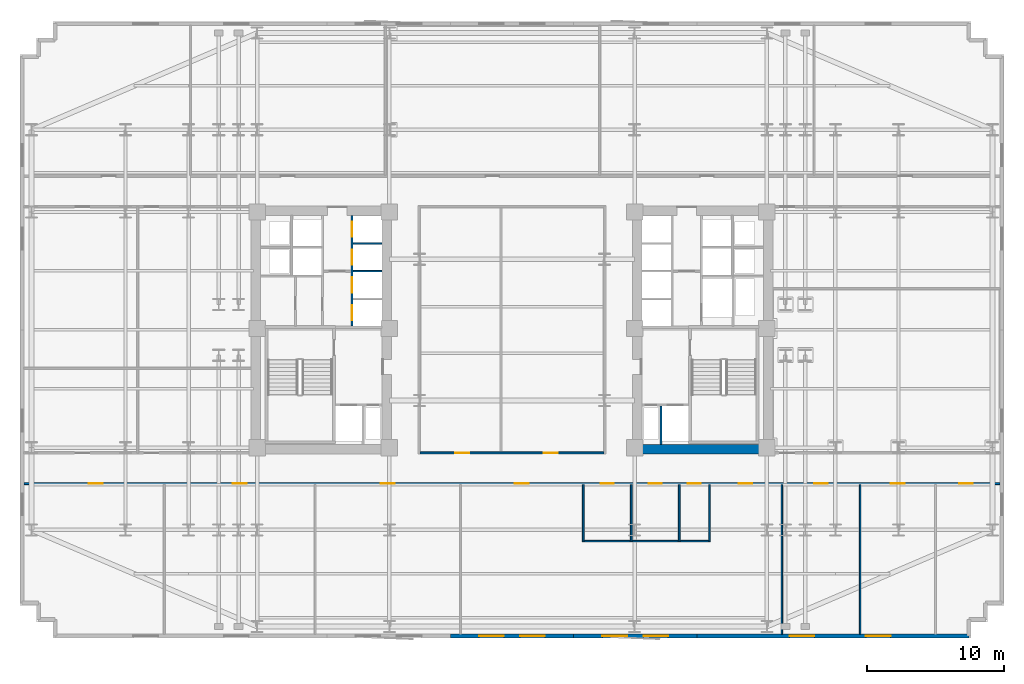
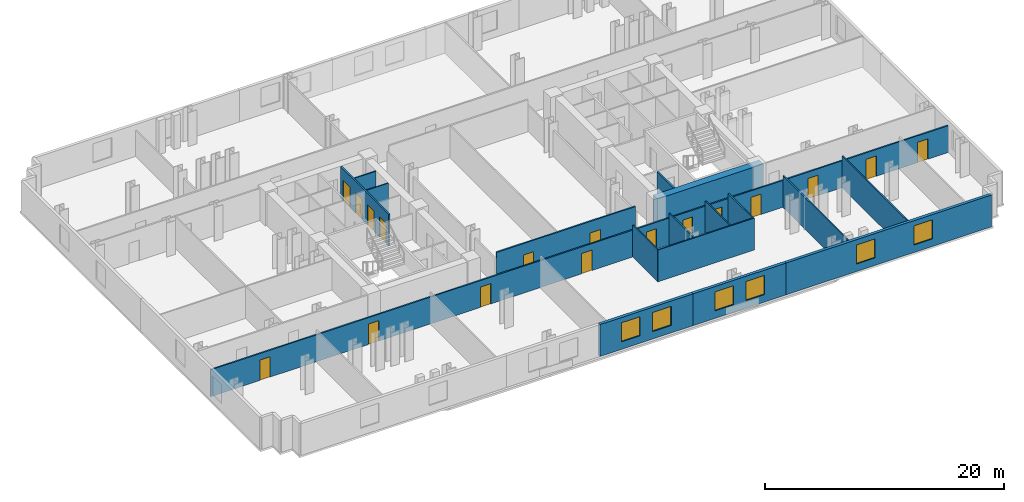
# One storey, part 5 of 10: 17 doors, 17 walls, 6 windows, 23 openings.
"""IFC4 building model written with IfcOpenShell, lengths in metres."""

from ifc_helpers import new_model, si_unit, direction, frame, frame_2d, origin, place, context, subcontext, project, spatial, rectangle, extrude, material, layer, layer_set, type_object, element, fill, save


model = new_model("IFC4")

# Units and contexts
model_context = context("Model", 3, precision=1e-05, world=origin(), true_north=direction((0.0, 1.0)))
body_context = subcontext(model_context, "Body", "Model", "MODEL_VIEW")
ifc_project = project(units=[si_unit("LENGTHUNIT", "METRE"), si_unit("AREAUNIT", "SQUARE_METRE"), si_unit("VOLUMEUNIT", "CUBIC_METRE"), si_unit("PLANEANGLEUNIT", "RADIAN"), si_unit("MASSUNIT", "GRAM", prefix="KILO")], contexts=[model_context])

# Site, building, storey
site_placement = place(None, origin())
site = spatial("IfcSite", under=ifc_project, at=site_placement, CompositionType="ELEMENT")
building_placement = place(site_placement, origin())
building = spatial("IfcBuilding", under=site, at=building_placement, Name="Velakula Bourse", CompositionType="ELEMENT")
storey_placement = place(building_placement, frame((0.0, 0.0, 41.550048828125)))
storey = spatial("IfcBuildingStorey", under=building, at=storey_placement, Name="L10", CompositionType="ELEMENT", Elevation=41.550048828125)

# Wall
ifc_material_1 = material(Name="Concrete M70 (fck 70 MPa)", Category="concrete")
ifc_layer_1 = layer(ifc_material_1, 0.699951171875, Name="Concrete M70 (fck 70 MPa)", Category="concrete")
ifc_layer_set_1 = layer_set([ifc_layer_1], Name="Concrete M70 (fck 70 MPa)")
wall_type_1 = type_object("IfcWallType", Name="WL-CORE-700", PredefinedType="SHEAR", material=ifc_layer_set_1)
wall_1_placement = place(storey_placement, frame((8.800048828125, -8.699951171875, 0.0), z_axis=(0.0, 0.0, 1.0), x_axis=(1.0, 0.0, 0.0)))
element("IfcWall", 1, at=wall_1_placement, inside=storey, type_object=wall_type_1, Name="L10 Core E Shear Wall S", PredefinedType="SHEAR", context=body_context, shape_type="SweptSolid", body=[
    extrude(rectangle(XDim=10.25, YDim=0.699951171875, at=frame_2d((5.125, 0.0))), origin(), (0.0, 0.0, 1.0), 3.27001953125),
])

# Wall, openings, windows
ifc_material_2 = material(Name="Red kilned clay facing brick masonry", Category="masonry")
ifc_layer_2 = layer(ifc_material_2, 0.280029296875, Name="Red kilned clay facing brick masonry", Category="masonry")
ifc_layer_set_2 = layer_set([ifc_layer_2], Name="Red kilned clay facing brick masonry")
wall_type_2 = type_object("IfcWallType", Name="WL-EXT-BRK-280", PredefinedType="STANDARD", material=ifc_layer_set_2)
wall_2_placement = place(storey_placement, frame((4.5, -22.340087890625, 0.0), z_axis=(0.0, 0.0, 1.0), x_axis=(-1.0, 0.0, 0.0)))
wall_2 = element("IfcWall", 2, at=wall_2_placement, inside=storey, type_object=wall_type_2, Name="L10 S Brick Spandrel Wall B3", PredefinedType="STANDARD", context=body_context, shape_type="SweptSolid", body=[
    extrude(rectangle(XDim=9.0, YDim=0.280029296875, at=frame_2d((4.5, 0.0))), origin(), (0.0, 0.0, 1.0), 3.25),
])
opening_1_placement = place(wall_2_placement, frame((2.10009765625, 0.0, 0.760009765625)))
opening_1 = element("IfcOpeningElement", 3, at=opening_1_placement, cuts=wall_2, Name="Opening W-01", PredefinedType="OPENING", context=body_context, shape_type="SweptSolid", body=[
    extrude(rectangle(XDim=1.800048828125, YDim=1.949951171875, at=frame_2d((0.89990234375, 0.97509765625))), frame((0.0, 0.14990234375, 0.0), z_axis=(0.0, -1.0, 0.0), x_axis=(1.0, 0.0, 0.0)), (0.0, 0.0, 1.0), 0.300048828125),
])
opening_2_placement = place(wall_2_placement, frame((5.10009765625, 0.0, 0.760009765625)))
opening_2 = element("IfcOpeningElement", 4, at=opening_2_placement, cuts=wall_2, Name="Opening W-01", PredefinedType="OPENING", context=body_context, shape_type="SweptSolid", body=[
    extrude(rectangle(XDim=1.800048828125, YDim=1.949951171875, at=frame_2d((0.89990234375, 0.97509765625))), frame((0.0, 0.14990234375, 0.0), z_axis=(0.0, -1.0, 0.0), x_axis=(1.0, 0.0, 0.0)), (0.0, 0.0, 1.0), 0.300048828125),
])
ifc_material_3 = material(Name="Double-glazed solar-control Low-E glass", Category="glass")
window_type = type_object("IfcWindowType", Name="WIN-TWR-1800x2100", PartitioningType="SINGLE_PANEL", PredefinedType="WINDOW", material=ifc_material_3)
window_1_placement = place(opening_1_placement, origin())
window_1 = element("IfcWindow", 5, at=window_1_placement, inside=storey, type_object=window_type, Name="L10 Deep-Set Recessed Window 1", OverallHeight=1.949951171875, OverallWidth=1.800048828125, PartitioningType="SINGLE_PANEL", PredefinedType="WINDOW", context=body_context, shape_type="SweptSolid", body=[
    extrude(rectangle(XDim=1.800048828125, YDim=1.949951171875, at=frame_2d((0.89990234375, 0.97509765625))), frame((0.0, 0.030029296875, 0.0), z_axis=(0.0, -1.0, 0.0), x_axis=(1.0, 0.0, 0.0)), (0.0, 0.0, 1.0), 0.06005859375),
])
fill(opening_1, window_1)
window_2_placement = place(opening_2_placement, origin())
window_2 = element("IfcWindow", 6, at=window_2_placement, inside=storey, type_object=window_type, Name="L10 Deep-Set Recessed Window 2", OverallHeight=1.949951171875, OverallWidth=1.800048828125, PartitioningType="SINGLE_PANEL", PredefinedType="WINDOW", context=body_context, shape_type="SweptSolid", body=[
    extrude(rectangle(XDim=1.800048828125, YDim=1.949951171875, at=frame_2d((0.89990234375, 0.97509765625))), frame((0.0, 0.030029296875, 0.0), z_axis=(0.0, -1.0, 0.0), x_axis=(1.0, 0.0, 0.0)), (0.0, 0.0, 1.0), 0.06005859375),
])
fill(opening_2, window_2)

wall_3_placement = place(storey_placement, frame((13.5, -22.340087890625, 0.0), z_axis=(0.0, 0.0, 1.0), x_axis=(-1.0, 0.0, 0.0)))
wall_3 = element("IfcWall", 7, at=wall_3_placement, inside=storey, type_object=wall_type_2, Name="L10 S Brick Spandrel Wall B4", PredefinedType="STANDARD", context=body_context, shape_type="SweptSolid", body=[
    extrude(rectangle(XDim=9.0, YDim=0.280029296875, at=frame_2d((4.5, 0.0))), origin(), (0.0, 0.0, 1.0), 3.25),
])
opening_3_placement = place(wall_3_placement, frame((2.10009765625, 0.0, 0.760009765625)))
opening_3 = element("IfcOpeningElement", 8, at=opening_3_placement, cuts=wall_3, Name="Opening W-01", PredefinedType="OPENING", context=body_context, shape_type="SweptSolid", body=[
    extrude(rectangle(XDim=1.800048828125, YDim=1.949951171875, at=frame_2d((0.89990234375, 0.97509765625))), frame((0.0, 0.14990234375, 0.0), z_axis=(0.0, -1.0, 0.0), x_axis=(1.0, 0.0, 0.0)), (0.0, 0.0, 1.0), 0.300048828125),
])
opening_4_placement = place(wall_3_placement, frame((5.10009765625, 0.0, 0.760009765625)))
opening_4 = element("IfcOpeningElement", 9, at=opening_4_placement, cuts=wall_3, Name="Opening W-01", PredefinedType="OPENING", context=body_context, shape_type="SweptSolid", body=[
    extrude(rectangle(XDim=1.800048828125, YDim=1.949951171875, at=frame_2d((0.89990234375, 0.97509765625))), frame((0.0, 0.14990234375, 0.0), z_axis=(0.0, -1.0, 0.0), x_axis=(1.0, 0.0, 0.0)), (0.0, 0.0, 1.0), 0.300048828125),
])
window_3_placement = place(opening_3_placement, origin())
window_3 = element("IfcWindow", 10, at=window_3_placement, inside=storey, type_object=window_type, Name="L10 Deep-Set Recessed Window 1", OverallHeight=1.949951171875, OverallWidth=1.800048828125, PartitioningType="SINGLE_PANEL", PredefinedType="WINDOW", context=body_context, shape_type="SweptSolid", body=[
    extrude(rectangle(XDim=1.800048828125, YDim=1.949951171875, at=frame_2d((0.89990234375, 0.97509765625))), frame((0.0, 0.030029296875, 0.0), z_axis=(0.0, -1.0, 0.0), x_axis=(1.0, 0.0, 0.0)), (0.0, 0.0, 1.0), 0.06005859375),
])
fill(opening_3, window_3)
window_4_placement = place(opening_4_placement, origin())
window_4 = element("IfcWindow", 11, at=window_4_placement, inside=storey, type_object=window_type, Name="L10 Deep-Set Recessed Window 2", OverallHeight=1.949951171875, OverallWidth=1.800048828125, PartitioningType="SINGLE_PANEL", PredefinedType="WINDOW", context=body_context, shape_type="SweptSolid", body=[
    extrude(rectangle(XDim=1.800048828125, YDim=1.949951171875, at=frame_2d((0.89990234375, 0.97509765625))), frame((0.0, 0.030029296875, 0.0), z_axis=(0.0, -1.0, 0.0), x_axis=(1.0, 0.0, 0.0)), (0.0, 0.0, 1.0), 0.06005859375),
])
fill(opening_4, window_4)

wall_4_placement = place(storey_placement, frame((33.340087890625, -22.340087890625, 0.0), z_axis=(0.0, 0.0, 1.0), x_axis=(-1.0, 0.0, 0.0)))
wall_4 = element("IfcWall", 12, at=wall_4_placement, inside=storey, type_object=wall_type_2, Name="L10 S Brick Spandrel Wall B5", PredefinedType="STANDARD", context=body_context, shape_type="SweptSolid", body=[
    extrude(rectangle(XDim=19.840087890625, YDim=0.280029296875, at=frame_2d((9.919921875, 0.0))), origin(), (0.0, 0.0, 1.0), 3.25),
])
opening_5_placement = place(wall_4_placement, frame((5.71337890625, 0.0, 0.760009765625)))
opening_5 = element("IfcOpeningElement", 13, at=opening_5_placement, cuts=wall_4, Name="Opening W-01", PredefinedType="OPENING", context=body_context, shape_type="SweptSolid", body=[
    extrude(rectangle(XDim=1.800048828125, YDim=1.949951171875, at=frame_2d((0.89990234375, 0.97509765625))), frame((0.0, 0.14990234375, 0.0), z_axis=(0.0, -1.0, 0.0), x_axis=(1.0, 0.0, 0.0)), (0.0, 0.0, 1.0), 0.300048828125),
])
opening_6_placement = place(wall_4_placement, frame((11.276611328125, 0.0, 0.760009765625)))
opening_6 = element("IfcOpeningElement", 14, at=opening_6_placement, cuts=wall_4, Name="Opening W-01", PredefinedType="OPENING", context=body_context, shape_type="SweptSolid", body=[
    extrude(rectangle(XDim=1.800048828125, YDim=1.949951171875, at=frame_2d((0.89990234375, 0.97509765625))), frame((0.0, 0.14990234375, 0.0), z_axis=(0.0, -1.0, 0.0), x_axis=(1.0, 0.0, 0.0)), (0.0, 0.0, 1.0), 0.300048828125),
])
window_5_placement = place(opening_5_placement, origin())
window_5 = element("IfcWindow", 15, at=window_5_placement, inside=storey, type_object=window_type, Name="L10 Deep-Set Recessed Window 1", OverallHeight=1.949951171875, OverallWidth=1.800048828125, PartitioningType="SINGLE_PANEL", PredefinedType="WINDOW", context=body_context, shape_type="SweptSolid", body=[
    extrude(rectangle(XDim=1.800048828125, YDim=1.949951171875, at=frame_2d((0.89990234375, 0.97509765625))), frame((0.0, 0.030029296875, 0.0), z_axis=(0.0, -1.0, 0.0), x_axis=(1.0, 0.0, 0.0)), (0.0, 0.0, 1.0), 0.06005859375),
])
fill(opening_5, window_5)
window_6_placement = place(opening_6_placement, origin())
window_6 = element("IfcWindow", 16, at=window_6_placement, inside=storey, type_object=window_type, Name="L10 Deep-Set Recessed Window 2", OverallHeight=1.949951171875, OverallWidth=1.800048828125, PartitioningType="SINGLE_PANEL", PredefinedType="WINDOW", context=body_context, shape_type="SweptSolid", body=[
    extrude(rectangle(XDim=1.800048828125, YDim=1.949951171875, at=frame_2d((0.89990234375, 0.97509765625))), frame((0.0, 0.030029296875, 0.0), z_axis=(0.0, -1.0, 0.0), x_axis=(1.0, 0.0, 0.0)), (0.0, 0.0, 1.0), 0.06005859375),
])
fill(opening_6, window_6)

# Walls
ifc_material_4 = material(Name="Fire-rated double-layer gypsum drywall partition", Category="gypsum")
ifc_layer_3 = layer(ifc_material_4, 0.1201171875, Name="Fire-rated double-layer gypsum drywall partition", Category="gypsum")
ifc_layer_set_3 = layer_set([ifc_layer_3], Name="Fire-rated double-layer gypsum drywall partition")
wall_type_3 = type_object("IfcWallType", Name="WL-PART-120", PredefinedType="STANDARD", material=ifc_layer_set_3)
for number, where, z_axis, x_axis, name in (
    (17, (-11.60009765625, 4.284912109375, 0.0), (0.0, 0.0, 1.0), (1.0, 0.0, 0.0), "L10 Interior Partition WL-CRW-L10-BDIV-1"),
    (18, (-11.60009765625, 6.31494140625, 0.0), (0.0, 0.0, 1.0), (1.0, 0.0, 0.0), "L10 Interior Partition WL-CRW-L10-BDIV-2"),
):
    element("IfcWall", number, at=place(storey_placement, frame(where, z_axis=z_axis, x_axis=x_axis)), inside=storey, type_object=wall_type_3, Name=name, PredefinedType="STANDARD", context=body_context, shape_type="SweptSolid", body=[
        extrude(rectangle(XDim=2.10009765625, YDim=0.110107421875, at=frame_2d((1.050048828125, 0.0))), origin(), (0.0, 0.0, 1.0), 3.25),
    ])
wall_5_placement = place(storey_placement, frame((5.139892578125, -15.419921875, 0.0), z_axis=(0.0, 0.0, 1.0), x_axis=(1.0, 0.0, 0.0)))
element("IfcWall", 19, at=wall_5_placement, inside=storey, type_object=wall_type_3, Name="L10 Interior Partition WL-WC-L10-BACK", PredefinedType="STANDARD", context=body_context, shape_type="SweptSolid", body=[
    extrude(rectangle(XDim=9.320068359375, YDim=0.1201171875, at=frame_2d((4.66015625, 0.0))), origin(), (0.0, 0.0, 1.0), 3.25),
])
for number, where, z_axis, x_axis, name in (
    (20, (5.199951171875, -15.419921875, 0.0), (0.0, 0.0, 1.0), (0.0, 1.0, 0.0), "L10 Interior Partition WL-WC-L10-V1"),
    (21, (8.699951171875, -15.419921875, 0.0), (0.0, 0.0, 1.0), (0.0, 1.0, 0.0), "L10 Interior Partition WL-WC-L10-V2"),
    (22, (12.199951171875, -15.419921875, 0.0), (0.0, 0.0, 1.0), (0.0, 1.0, 0.0), "L10 Interior Partition WL-WC-L10-V3"),
    (23, (14.39990234375, -15.419921875, 0.0), (0.0, 0.0, 1.0), (0.0, 1.0, 0.0), "L10 Interior Partition WL-WC-L10-V4"),
):
    element("IfcWall", number, at=place(storey_placement, frame(where, z_axis=z_axis, x_axis=x_axis)), inside=storey, type_object=wall_type_3, Name=name, PredefinedType="STANDARD", context=body_context, shape_type="SweptSolid", body=[
        extrude(rectangle(XDim=4.1298828125, YDim=0.1201171875, at=frame_2d((2.06494140625, 0.0))), origin(), (0.0, 0.0, 1.0), 3.25),
    ])
for number, where, z_axis, x_axis, name in (
    (24, (19.68994140625, -22.219970703125, 0.0), (0.0, 0.0, 1.0), (0.0, 1.0, 0.0), "L10 Interior Partition WL-INT-L10-SR-D8"),
    (25, (25.403076171875, -22.219970703125, 0.0), (0.0, 0.0, 1.0), (0.0, 1.0, 0.0), "L10 Interior Partition WL-INT-L10-SR-D9"),
):
    element("IfcWall", number, at=place(storey_placement, frame(where, z_axis=z_axis, x_axis=x_axis)), inside=storey, type_object=wall_type_3, Name=name, PredefinedType="STANDARD", context=body_context, shape_type="SweptSolid", body=[
        extrude(rectangle(XDim=10.929931640625, YDim=0.1201171875, at=frame_2d((5.46484375, 0.0))), origin(), (0.0, 0.0, 1.0), 3.25),
    ])

# Wall, openings, doors
ifc_layer_4 = layer(ifc_material_4, 0.139892578125, Name="Fire-rated double-layer gypsum drywall partition", Category="gypsum")
ifc_layer_set_4 = layer_set([ifc_layer_4], Name="Fire-rated double-layer gypsum drywall partition")
wall_type_4 = type_object("IfcWallType", Name="WL-PART-140", PredefinedType="STANDARD", material=ifc_layer_set_4)
wall_6_placement = place(storey_placement, frame((-35.6201171875, -11.219970703125, 0.0), z_axis=(0.0, 0.0, 1.0), x_axis=(1.0, 0.0, 0.0)))
wall_6 = element("IfcWall", 26, at=wall_6_placement, inside=storey, type_object=wall_type_4, Name="L10 Interior Partition WL-INT-L10-S-CORR", PredefinedType="STANDARD", context=body_context, shape_type="SweptSolid", body=[
    extrude(rectangle(XDim=71.240234375, YDim=0.139892578125, at=frame_2d((35.6201171875, 0.0))), origin(), (0.0, 0.0, 1.0), 2.744873046875),
])
opening_7_placement = place(wall_6_placement, frame((42.110107421875, 0.0, 0.0)))
opening_7 = element("IfcOpeningElement", 27, at=opening_7_placement, cuts=wall_6, Name="Opening D-WT1", PredefinedType="OPENING", context=body_context, shape_type="SweptSolid", body=[
    extrude(rectangle(XDim=0.919921875, YDim=2.080078125, at=frame_2d((0.4599609375, 1.0400390625))), frame((0.0, 0.079833984375, 0.0), z_axis=(0.0, -1.0, 0.0), x_axis=(1.0, 0.0, 0.0)), (0.0, 0.0, 1.0), 0.159912109375),
])
opening_8_placement = place(wall_6_placement, frame((45.610107421875, 0.0, 0.0)))
opening_8 = element("IfcOpeningElement", 28, at=opening_8_placement, cuts=wall_6, Name="Opening D-WT1", PredefinedType="OPENING", context=body_context, shape_type="SweptSolid", body=[
    extrude(rectangle(XDim=0.919921875, YDim=2.080078125, at=frame_2d((0.4599609375, 1.0400390625))), frame((0.0, 0.079833984375, 0.0), z_axis=(0.0, -1.0, 0.0), x_axis=(1.0, 0.0, 0.0)), (0.0, 0.0, 1.0), 0.159912109375),
])
opening_9_placement = place(wall_6_placement, frame((48.4599609375, 0.0, 0.0)))
opening_9 = element("IfcOpeningElement", 29, at=opening_9_placement, cuts=wall_6, Name="Opening D-WC1", PredefinedType="OPENING", context=body_context, shape_type="SweptSolid", body=[
    extrude(rectangle(XDim=0.919921875, YDim=2.080078125, at=frame_2d((0.4599609375, 1.0400390625))), frame((0.0, 0.079833984375, 0.0), z_axis=(0.0, -1.0, 0.0), x_axis=(1.0, 0.0, 0.0)), (0.0, 0.0, 1.0), 0.159912109375),
])
opening_10_placement = place(wall_6_placement, frame((4.7509765625, 0.0, 0.0)))
opening_10 = element("IfcOpeningElement", 30, at=opening_10_placement, cuts=wall_6, Name="Opening D-OF1", PredefinedType="OPENING", context=body_context, shape_type="SweptSolid", body=[
    extrude(rectangle(XDim=1.0, YDim=2.080078125, at=frame_2d((0.5, 1.0400390625))), frame((0.0, 0.079833984375, 0.0), z_axis=(0.0, -1.0, 0.0), x_axis=(1.0, 0.0, 0.0)), (0.0, 0.0, 1.0), 0.159912109375),
])
opening_11_placement = place(wall_6_placement, frame((15.25244140625, 0.0, 0.0)))
opening_11 = element("IfcOpeningElement", 31, at=opening_11_placement, cuts=wall_6, Name="Opening D-OF1", PredefinedType="OPENING", context=body_context, shape_type="SweptSolid", body=[
    extrude(rectangle(XDim=1.0, YDim=2.080078125, at=frame_2d((0.5, 1.0400390625))), frame((0.0, 0.079833984375, 0.0), z_axis=(0.0, -1.0, 0.0), x_axis=(1.0, 0.0, 0.0)), (0.0, 0.0, 1.0), 0.159912109375),
])
opening_12_placement = place(wall_6_placement, frame((26.053955078125, 0.0, 0.0)))
opening_12 = element("IfcOpeningElement", 32, at=opening_12_placement, cuts=wall_6, Name="Opening D-OF1", PredefinedType="OPENING", context=body_context, shape_type="SweptSolid", body=[
    extrude(rectangle(XDim=1.0, YDim=2.080078125, at=frame_2d((0.5, 1.0400390625))), frame((0.0, 0.079833984375, 0.0), z_axis=(0.0, -1.0, 0.0), x_axis=(1.0, 0.0, 0.0)), (0.0, 0.0, 1.0), 0.159912109375),
])
opening_13_placement = place(wall_6_placement, frame((35.83642578125, 0.0, 0.0)))
opening_13 = element("IfcOpeningElement", 33, at=opening_13_placement, cuts=wall_6, Name="Opening D-OF1", PredefinedType="OPENING", context=body_context, shape_type="SweptSolid", body=[
    extrude(rectangle(XDim=1.0, YDim=2.080078125, at=frame_2d((0.5, 1.0400390625))), frame((0.0, 0.079833984375, 0.0), z_axis=(0.0, -1.0, 0.0), x_axis=(1.0, 0.0, 0.0)), (0.0, 0.0, 1.0), 0.159912109375),
])
opening_14_placement = place(wall_6_placement, frame((52.1650390625, 0.0, 0.0)))
opening_14 = element("IfcOpeningElement", 34, at=opening_14_placement, cuts=wall_6, Name="Opening D-OF1", PredefinedType="OPENING", context=body_context, shape_type="SweptSolid", body=[
    extrude(rectangle(XDim=1.0, YDim=2.080078125, at=frame_2d((0.5, 1.0400390625))), frame((0.0, 0.079833984375, 0.0), z_axis=(0.0, -1.0, 0.0), x_axis=(1.0, 0.0, 0.0)), (0.0, 0.0, 1.0), 0.159912109375),
])
opening_15_placement = place(wall_6_placement, frame((57.66650390625, 0.0, 0.0)))
opening_15 = element("IfcOpeningElement", 35, at=opening_15_placement, cuts=wall_6, Name="Opening D-OF1", PredefinedType="OPENING", context=body_context, shape_type="SweptSolid", body=[
    extrude(rectangle(XDim=1.0, YDim=2.080078125, at=frame_2d((0.5, 1.0400390625))), frame((0.0, 0.079833984375, 0.0), z_axis=(0.0, -1.0, 0.0), x_axis=(1.0, 0.0, 0.0)), (0.0, 0.0, 1.0), 0.159912109375),
])
opening_16_placement = place(wall_6_placement, frame((63.27392578125, 0.0, 0.0)))
opening_16 = element("IfcOpeningElement", 36, at=opening_16_placement, cuts=wall_6, Name="Opening D-OF1", PredefinedType="OPENING", context=body_context, shape_type="SweptSolid", body=[
    extrude(rectangle(XDim=1.0, YDim=2.080078125, at=frame_2d((0.5, 1.0400390625))), frame((0.0, 0.079833984375, 0.0), z_axis=(0.0, -1.0, 0.0), x_axis=(1.0, 0.0, 0.0)), (0.0, 0.0, 1.0), 0.159912109375),
])
opening_17_placement = place(wall_6_placement, frame((68.256591796875, 0.0, 0.0)))
opening_17 = element("IfcOpeningElement", 37, at=opening_17_placement, cuts=wall_6, Name="Opening D-OF1", PredefinedType="OPENING", context=body_context, shape_type="SweptSolid", body=[
    extrude(rectangle(XDim=1.0, YDim=2.080078125, at=frame_2d((0.5, 1.0400390625))), frame((0.0, 0.079833984375, 0.0), z_axis=(0.0, -1.0, 0.0), x_axis=(1.0, 0.0, 0.0)), (0.0, 0.0, 1.0), 0.159912109375),
])
ifc_material_5 = material(Name="Fire-rated hardwood flush architectural door", Category="wood")
door_type_1 = type_object("IfcDoorType", Name="DR-OFF-1000", OperationType="NOTDEFINED", PredefinedType="DOOR", material=ifc_material_5)
door_1_placement = place(opening_10_placement, origin())
door_1 = element("IfcDoor", 38, at=door_1_placement, inside=storey, type_object=door_type_1, Name="L10 Sky-Garden Veranda Lounge Door", OperationType="SINGLE_SWING_LEFT", OverallHeight=2.080078125, OverallWidth=1.0, PredefinedType="DOOR", context=body_context, shape_type="SweptSolid", body=[
    extrude(rectangle(XDim=1.0, YDim=2.080078125, at=frame_2d((0.5, 1.0400390625))), frame((0.0, 0.02490234375, 0.0), z_axis=(0.0, -1.0, 0.0), x_axis=(1.0, 0.0, 0.0)), (0.0, 0.0, 1.0), 0.050048828125),
])
fill(opening_10, door_1)
door_2_placement = place(opening_11_placement, origin())
door_2 = element("IfcDoor", 39, at=door_2_placement, inside=storey, type_object=door_type_1, Name="L10 Bullion Assay Office Door", OperationType="SINGLE_SWING_RIGHT", OverallHeight=2.080078125, OverallWidth=1.0, PredefinedType="DOOR", context=body_context, shape_type="SweptSolid", body=[
    extrude(rectangle(XDim=1.0, YDim=2.080078125, at=frame_2d((0.5, 1.0400390625))), frame((0.0, 0.02490234375, 0.0), z_axis=(0.0, -1.0, 0.0), x_axis=(1.0, 0.0, 0.0)), (0.0, 0.0, 1.0), 0.050048828125),
])
fill(opening_11, door_2)
door_3_placement = place(opening_12_placement, origin())
door_3 = element("IfcDoor", 40, at=door_3_placement, inside=storey, type_object=door_type_1, Name="L10 Listing Committee Chamber Door", OperationType="SINGLE_SWING_LEFT", OverallHeight=2.080078125, OverallWidth=1.0, PredefinedType="DOOR", context=body_context, shape_type="SweptSolid", body=[
    extrude(rectangle(XDim=1.0, YDim=2.080078125, at=frame_2d((0.5, 1.0400390625))), frame((0.0, 0.02490234375, 0.0), z_axis=(0.0, -1.0, 0.0), x_axis=(1.0, 0.0, 0.0)), (0.0, 0.0, 1.0), 0.050048828125),
])
fill(opening_12, door_3)
door_4_placement = place(opening_13_placement, origin())
door_4 = element("IfcDoor", 41, at=door_4_placement, inside=storey, type_object=door_type_1, Name="L10 Traders Pantry Door", OperationType="SINGLE_SWING_RIGHT", OverallHeight=2.080078125, OverallWidth=1.0, PredefinedType="DOOR", context=body_context, shape_type="SweptSolid", body=[
    extrude(rectangle(XDim=1.0, YDim=2.080078125, at=frame_2d((0.5, 1.0400390625))), frame((0.0, 0.02490234375, 0.0), z_axis=(0.0, -1.0, 0.0), x_axis=(1.0, 0.0, 0.0)), (0.0, 0.0, 1.0), 0.050048828125),
])
fill(opening_13, door_4)
door_5_placement = place(opening_14_placement, origin())
door_5 = element("IfcDoor", 42, at=door_5_placement, inside=storey, type_object=door_type_1, Name="L10 Commodity Futures Workspace Door", OperationType="SINGLE_SWING_LEFT", OverallHeight=2.080078125, OverallWidth=1.0, PredefinedType="DOOR", context=body_context, shape_type="SweptSolid", body=[
    extrude(rectangle(XDim=1.0, YDim=2.080078125, at=frame_2d((0.5, 1.0400390625))), frame((0.0, 0.02490234375, 0.0), z_axis=(0.0, -1.0, 0.0), x_axis=(1.0, 0.0, 0.0)), (0.0, 0.0, 1.0), 0.050048828125),
])
fill(opening_14, door_5)
door_6_placement = place(opening_15_placement, origin())
door_6 = element("IfcDoor", 43, at=door_6_placement, inside=storey, type_object=door_type_1, Name="L10 Issuer Relations Office Door", OperationType="SINGLE_SWING_RIGHT", OverallHeight=2.080078125, OverallWidth=1.0, PredefinedType="DOOR", context=body_context, shape_type="SweptSolid", body=[
    extrude(rectangle(XDim=1.0, YDim=2.080078125, at=frame_2d((0.5, 1.0400390625))), frame((0.0, 0.02490234375, 0.0), z_axis=(0.0, -1.0, 0.0), x_axis=(1.0, 0.0, 0.0)), (0.0, 0.0, 1.0), 0.050048828125),
])
fill(opening_15, door_6)
door_7_placement = place(opening_16_placement, origin())
door_7 = element("IfcDoor", 44, at=door_7_placement, inside=storey, type_object=door_type_1, Name="L10 Sky-Garden Veranda Lounge Door", OperationType="SINGLE_SWING_LEFT", OverallHeight=2.080078125, OverallWidth=1.0, PredefinedType="DOOR", context=body_context, shape_type="SweptSolid", body=[
    extrude(rectangle(XDim=1.0, YDim=2.080078125, at=frame_2d((0.5, 1.0400390625))), frame((0.0, 0.02490234375, 0.0), z_axis=(0.0, -1.0, 0.0), x_axis=(1.0, 0.0, 0.0)), (0.0, 0.0, 1.0), 0.050048828125),
])
fill(opening_16, door_7)
door_8_placement = place(opening_17_placement, origin())
door_8 = element("IfcDoor", 45, at=door_8_placement, inside=storey, type_object=door_type_1, Name="L10 Bullion Assay Office Door", OperationType="SINGLE_SWING_RIGHT", OverallHeight=2.080078125, OverallWidth=1.0, PredefinedType="DOOR", context=body_context, shape_type="SweptSolid", body=[
    extrude(rectangle(XDim=1.0, YDim=2.080078125, at=frame_2d((0.5, 1.0400390625))), frame((0.0, 0.02490234375, 0.0), z_axis=(0.0, -1.0, 0.0), x_axis=(1.0, 0.0, 0.0)), (0.0, 0.0, 1.0), 0.050048828125),
])
fill(opening_17, door_8)
door_type_2 = type_object("IfcDoorType", Name="DR-WC-950", OperationType="NOTDEFINED", PredefinedType="DOOR", material=ifc_material_5)
door_9_placement = place(opening_7_placement, origin())
door_9 = element("IfcDoor", 46, at=door_9_placement, inside=storey, type_object=door_type_2, Name="L10 Male Staff Toilet Door", OperationType="SINGLE_SWING_RIGHT", OverallHeight=2.080078125, OverallWidth=0.919921875, PredefinedType="DOOR", context=body_context, shape_type="SweptSolid", body=[
    extrude(rectangle(XDim=0.919921875, YDim=2.080078125, at=frame_2d((0.4599609375, 1.0400390625))), frame((0.0, 0.02490234375, 0.0), z_axis=(0.0, -1.0, 0.0), x_axis=(1.0, 0.0, 0.0)), (0.0, 0.0, 1.0), 0.050048828125),
])
fill(opening_7, door_9)
door_10_placement = place(opening_8_placement, origin())
door_10 = element("IfcDoor", 47, at=door_10_placement, inside=storey, type_object=door_type_2, Name="L10 Female Staff Toilet Door", OperationType="SINGLE_SWING_LEFT", OverallHeight=2.080078125, OverallWidth=0.919921875, PredefinedType="DOOR", context=body_context, shape_type="SweptSolid", body=[
    extrude(rectangle(XDim=0.919921875, YDim=2.080078125, at=frame_2d((0.4599609375, 1.0400390625))), frame((0.0, 0.02490234375, 0.0), z_axis=(0.0, -1.0, 0.0), x_axis=(1.0, 0.0, 0.0)), (0.0, 0.0, 1.0), 0.050048828125),
])
fill(opening_8, door_10)
door_11_placement = place(opening_9_placement, origin())
door_11 = element("IfcDoor", 48, at=door_11_placement, inside=storey, type_object=door_type_2, Name="L10 Accessible WC Door", OperationType="SINGLE_SWING_RIGHT", OverallHeight=2.080078125, OverallWidth=0.919921875, PredefinedType="DOOR", context=body_context, shape_type="SweptSolid", body=[
    extrude(rectangle(XDim=0.919921875, YDim=2.080078125, at=frame_2d((0.4599609375, 1.0400390625))), frame((0.0, 0.02490234375, 0.0), z_axis=(0.0, -1.0, 0.0), x_axis=(1.0, 0.0, 0.0)), (0.0, 0.0, 1.0), 0.050048828125),
])
fill(opening_9, door_11)

wall_7_placement = place(storey_placement, frame((-6.7099609375, -8.97998046875, 0.0), z_axis=(0.0, 0.0, 1.0), x_axis=(1.0, 0.0, 0.0)))
wall_7 = element("IfcWall", 49, at=wall_7_placement, inside=storey, type_object=wall_type_4, Name="L10 Interior Partition WL-INT-L10-MID-S", PredefinedType="STANDARD", context=body_context, shape_type="SweptSolid", body=[
    extrude(rectangle(XDim=13.419921875, YDim=0.139892578125, at=frame_2d((6.7099609375, 0.0))), origin(), (0.0, 0.0, 1.0), 3.25),
])
opening_18_placement = place(wall_7_placement, frame((2.5810546875, 0.0, 0.0)))
opening_18 = element("IfcOpeningElement", 50, at=opening_18_placement, cuts=wall_7, Name="Opening D-OF1", PredefinedType="OPENING", context=body_context, shape_type="SweptSolid", body=[
    extrude(rectangle(XDim=1.0, YDim=2.080078125, at=frame_2d((0.5, 1.0400390625))), frame((0.0, 0.079833984375, 0.0), z_axis=(0.0, -1.0, 0.0), x_axis=(1.0, 0.0, 0.0)), (0.0, 0.0, 1.0), 0.159912109375),
])
opening_19_placement = place(wall_7_placement, frame((9.0390625, 0.0, 0.0)))
opening_19 = element("IfcOpeningElement", 51, at=opening_19_placement, cuts=wall_7, Name="Opening D-OF1", PredefinedType="OPENING", context=body_context, shape_type="SweptSolid", body=[
    extrude(rectangle(XDim=1.0, YDim=2.080078125, at=frame_2d((0.5, 1.0400390625))), frame((0.0, 0.079833984375, 0.0), z_axis=(0.0, -1.0, 0.0), x_axis=(1.0, 0.0, 0.0)), (0.0, 0.0, 1.0), 0.159912109375),
])
door_12_placement = place(opening_18_placement, origin())
door_12 = element("IfcDoor", 52, at=door_12_placement, inside=storey, type_object=door_type_1, Name="L10 Central Clearing Workspace West Door", OperationType="SINGLE_SWING_LEFT", OverallHeight=2.080078125, OverallWidth=1.0, PredefinedType="DOOR", context=body_context, shape_type="SweptSolid", body=[
    extrude(rectangle(XDim=1.0, YDim=2.080078125, at=frame_2d((0.5, 1.0400390625))), frame((0.0, 0.02490234375, 0.0), z_axis=(0.0, -1.0, 0.0), x_axis=(1.0, 0.0, 0.0)), (0.0, 0.0, 1.0), 0.050048828125),
])
fill(opening_18, door_12)
door_13_placement = place(opening_19_placement, origin())
door_13 = element("IfcDoor", 53, at=door_13_placement, inside=storey, type_object=door_type_1, Name="L10 Central Arbitration Room East Door", OperationType="SINGLE_SWING_RIGHT", OverallHeight=2.080078125, OverallWidth=1.0, PredefinedType="DOOR", context=body_context, shape_type="SweptSolid", body=[
    extrude(rectangle(XDim=1.0, YDim=2.080078125, at=frame_2d((0.5, 1.0400390625))), frame((0.0, 0.02490234375, 0.0), z_axis=(0.0, -1.0, 0.0), x_axis=(1.0, 0.0, 0.0)), (0.0, 0.0, 1.0), 0.050048828125),
])
fill(opening_19, door_13)

ifc_material_6 = material(Name="Autoclaved aerated concrete blockwork masonry", Category="masonry")
ifc_layer_5 = layer(ifc_material_6, 0.14990234375, Name="Autoclaved aerated concrete blockwork masonry", Category="masonry")
ifc_layer_set_5 = layer_set([ifc_layer_5], Name="Autoclaved aerated concrete blockwork masonry")
wall_type_5 = type_object("IfcWallType", Name="WL-SHAFT-150", PredefinedType="STANDARD", material=ifc_layer_set_5)
wall_8_placement = place(storey_placement, frame((-11.675048828125, 0.27001953125, 0.0), z_axis=(0.0, 0.0, 1.0), x_axis=(0.0, 1.0, 0.0)))
wall_8 = element("IfcWall", 54, at=wall_8_placement, inside=storey, type_object=wall_type_5, Name="L10 Interior Partition WL-CRW-L10-BANK-F", PredefinedType="STANDARD", context=body_context, shape_type="SweptSolid", body=[
    extrude(rectangle(XDim=8.080078125, YDim=0.14990234375, at=frame_2d((4.0400390625, 0.0))), origin(), (0.0, 0.0, 1.0), 3.25),
])
opening_20_placement = place(wall_8_placement, frame((0.419921875, 0.0, 0.0)))
opening_20 = element("IfcOpeningElement", 55, at=opening_20_placement, cuts=wall_8, Name="Opening LD-P1", PredefinedType="OPENING", context=body_context, shape_type="SweptSolid", body=[
    extrude(rectangle(XDim=1.10009765625, YDim=2.10009765625, at=frame_2d((0.550048828125, 1.050048828125))), frame((0.0, 0.0849609375, 0.0), z_axis=(0.0, -1.0, 0.0), x_axis=(1.0, 0.0, 0.0)), (0.0, 0.0, 1.0), 0.169921875),
])
opening_21_placement = place(wall_8_placement, frame((2.449951171875, 0.0, 0.0)))
opening_21 = element("IfcOpeningElement", 56, at=opening_21_placement, cuts=wall_8, Name="Opening LD-P2", PredefinedType="OPENING", context=body_context, shape_type="SweptSolid", body=[
    extrude(rectangle(XDim=1.10009765625, YDim=2.10009765625, at=frame_2d((0.550048828125, 1.050048828125))), frame((0.0, 0.0849609375, 0.0), z_axis=(0.0, -1.0, 0.0), x_axis=(1.0, 0.0, 0.0)), (0.0, 0.0, 1.0), 0.169921875),
])
opening_22_placement = place(wall_8_placement, frame((4.47998046875, 0.0, 0.0)))
opening_22 = element("IfcOpeningElement", 57, at=opening_22_placement, cuts=wall_8, Name="Opening LD-P3", PredefinedType="OPENING", context=body_context, shape_type="SweptSolid", body=[
    extrude(rectangle(XDim=1.10009765625, YDim=2.10009765625, at=frame_2d((0.550048828125, 1.050048828125))), frame((0.0, 0.0849609375, 0.0), z_axis=(0.0, -1.0, 0.0), x_axis=(1.0, 0.0, 0.0)), (0.0, 0.0, 1.0), 0.169921875),
])
opening_23_placement = place(wall_8_placement, frame((6.510009765625, 0.0, 0.0)))
opening_23 = element("IfcOpeningElement", 58, at=opening_23_placement, cuts=wall_8, Name="Opening LD-P4", PredefinedType="OPENING", context=body_context, shape_type="SweptSolid", body=[
    extrude(rectangle(XDim=1.10009765625, YDim=2.10009765625, at=frame_2d((0.550048828125, 1.050048828125))), frame((0.0, 0.0849609375, 0.0), z_axis=(0.0, -1.0, 0.0), x_axis=(1.0, 0.0, 0.0)), (0.0, 0.0, 1.0), 0.169921875),
])
ifc_material_7 = material(Name="Brushed grade 316 stainless steel", Category="steel")
door_type_3 = type_object("IfcDoorType", Name="DR-SLIDE-LD-1100", OperationType="DOUBLE_DOOR_SLIDING", PredefinedType="DOOR", material=ifc_material_7)
door_14_placement = place(opening_20_placement, origin())
door_14 = element("IfcDoor", 59, at=door_14_placement, inside=storey, type_object=door_type_3, Name="L10 Passenger Lift P1 Sliding Landing Door", OperationType="DOUBLE_DOOR_SLIDING", OverallHeight=2.10009765625, OverallWidth=1.10009765625, PredefinedType="DOOR", context=body_context, shape_type="SweptSolid", body=[
    extrude(rectangle(XDim=1.10009765625, YDim=2.10009765625, at=frame_2d((0.550048828125, 1.050048828125))), frame((0.0, 0.02490234375, 0.0), z_axis=(0.0, -1.0, 0.0), x_axis=(1.0, 0.0, 0.0)), (0.0, 0.0, 1.0), 0.050048828125),
])
fill(opening_20, door_14)
door_15_placement = place(opening_21_placement, origin())
door_15 = element("IfcDoor", 60, at=door_15_placement, inside=storey, type_object=door_type_3, Name="L10 Passenger Lift P2 Sliding Landing Door", OperationType="DOUBLE_DOOR_SLIDING", OverallHeight=2.10009765625, OverallWidth=1.10009765625, PredefinedType="DOOR", context=body_context, shape_type="SweptSolid", body=[
    extrude(rectangle(XDim=1.10009765625, YDim=2.10009765625, at=frame_2d((0.550048828125, 1.050048828125))), frame((0.0, 0.02490234375, 0.0), z_axis=(0.0, -1.0, 0.0), x_axis=(1.0, 0.0, 0.0)), (0.0, 0.0, 1.0), 0.050048828125),
])
fill(opening_21, door_15)
door_16_placement = place(opening_22_placement, origin())
door_16 = element("IfcDoor", 61, at=door_16_placement, inside=storey, type_object=door_type_3, Name="L10 Passenger Lift P3 Sliding Landing Door", OperationType="DOUBLE_DOOR_SLIDING", OverallHeight=2.10009765625, OverallWidth=1.10009765625, PredefinedType="DOOR", context=body_context, shape_type="SweptSolid", body=[
    extrude(rectangle(XDim=1.10009765625, YDim=2.10009765625, at=frame_2d((0.550048828125, 1.050048828125))), frame((0.0, 0.02490234375, 0.0), z_axis=(0.0, -1.0, 0.0), x_axis=(1.0, 0.0, 0.0)), (0.0, 0.0, 1.0), 0.050048828125),
])
fill(opening_22, door_16)
door_17_placement = place(opening_23_placement, origin())
door_17 = element("IfcDoor", 62, at=door_17_placement, inside=storey, type_object=door_type_3, Name="L10 Passenger Lift P4 Sliding Landing Door", OperationType="DOUBLE_DOOR_SLIDING", OverallHeight=2.10009765625, OverallWidth=1.10009765625, PredefinedType="DOOR", context=body_context, shape_type="SweptSolid", body=[
    extrude(rectangle(XDim=1.10009765625, YDim=2.10009765625, at=frame_2d((0.550048828125, 1.050048828125))), frame((0.0, 0.02490234375, 0.0), z_axis=(0.0, -1.0, 0.0), x_axis=(1.0, 0.0, 0.0)), (0.0, 0.0, 1.0), 0.050048828125),
])
fill(opening_23, door_17)

# Wall
wall_9_placement = place(storey_placement, frame((10.875, -8.35009765625, 0.0), z_axis=(0.0, 0.0, 1.0), x_axis=(0.0, 1.0, 0.0)))
element("IfcWall", 63, at=wall_9_placement, inside=storey, type_object=wall_type_5, Name="L10 Interior Partition WL-CRE-L10-FR-DIV", PredefinedType="STANDARD", context=body_context, shape_type="SweptSolid", body=[
    extrude(rectangle(XDim=2.800048828125, YDim=0.14990234375, at=frame_2d((1.39990234375, 0.0))), origin(), (0.0, 0.0, 1.0), 3.25),
])

save(model, "model.ifc")
